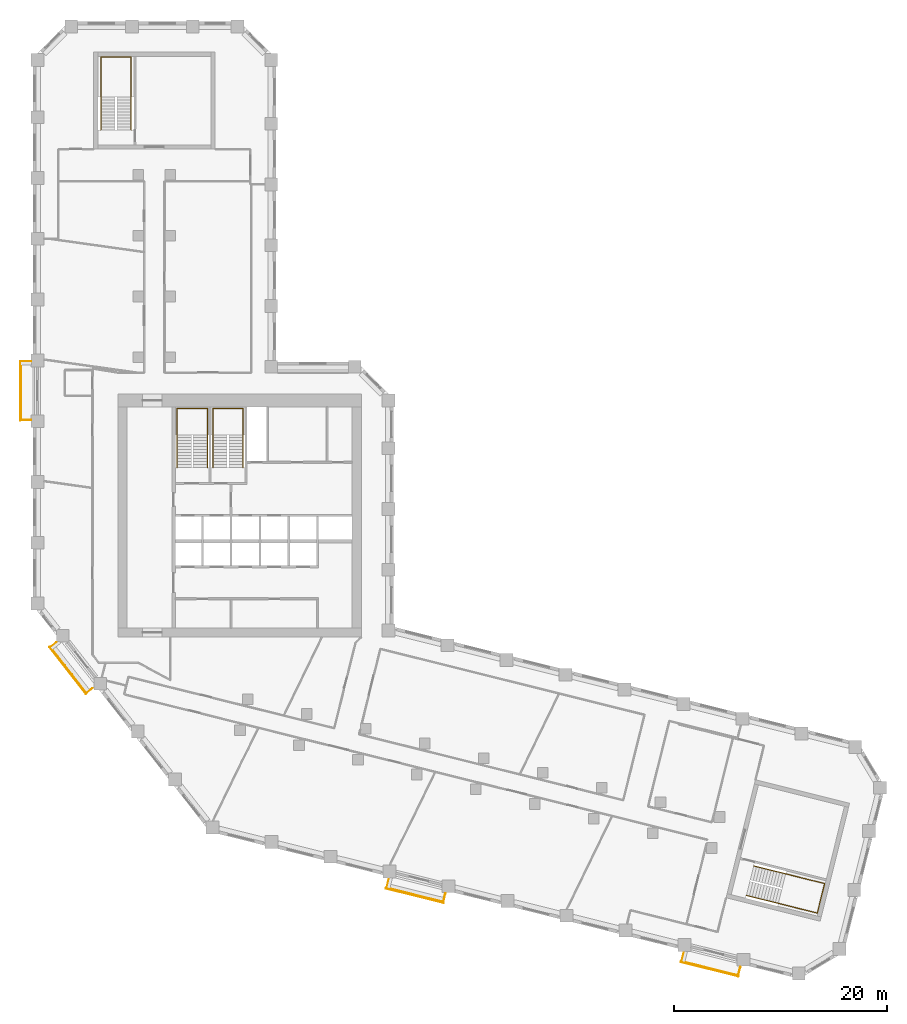
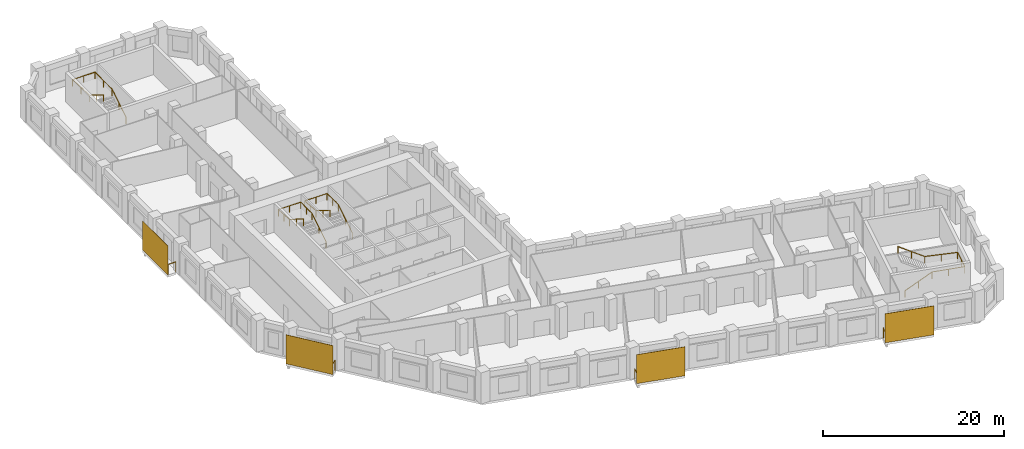
# One storey, part 10 of 10: 8 railings, 4 shading devices.
"""IFC4 building model written with IfcOpenShell, lengths in metres."""

from ifc_helpers import new_model, si_unit, direction, frame, origin, origin_2d, place, context, subcontext, project, spatial, rectangle, circle, extrude, material, layer, layer_set, type_object, element, save


model = new_model("IFC4")

# Units and contexts
model_context = context("Model", 3, precision=1e-05, world=origin(), true_north=direction((0.0, 1.0)))
body_context = subcontext(model_context, "Body", "Model", "MODEL_VIEW")
ifc_project = project(units=[si_unit("LENGTHUNIT", "METRE"), si_unit("AREAUNIT", "SQUARE_METRE"), si_unit("VOLUMEUNIT", "CUBIC_METRE"), si_unit("PLANEANGLEUNIT", "RADIAN"), si_unit("MASSUNIT", "GRAM", prefix="KILO")], contexts=[model_context])

# Site, building, storey
site_placement = place(None, origin())
site = spatial("IfcSite", under=ifc_project, at=site_placement, CompositionType="ELEMENT")
building_placement = place(site_placement, origin())
building = spatial("IfcBuilding", under=site, at=building_placement, Name="Meshkara Civic Tower", CompositionType="ELEMENT")
storey_placement = place(building_placement, frame((0.0, 0.0, 186.60009765625)))
storey = spatial("IfcBuildingStorey", under=building, at=storey_placement, Name="L42", CompositionType="ELEMENT", Elevation=186.60009765625)

# Railings
ifc_material_1 = material(Name="Steel S355", Category="steel")
railing_type_1 = type_object("IfcRailingType", Name="BALUSTRADE GUARD 1400", PredefinedType="BALUSTRADE", material=ifc_material_1)
railing_1_placement = place(storey_placement, frame((-0.14990234375, 39.93505859375, 0.0)))
element("IfcRailing", 1, at=railing_1_placement, inside=storey, type_object=railing_type_1, Name="Balcony guard", PredefinedType="BALUSTRADE", context=body_context, shape_type="SweptSolid", body=[
    extrude(circle(Radius=0.02392578125, at=origin_2d()), frame((0.0, 0.0, 1.3759765625), z_axis=(-1.0, 0.0, 0.0), x_axis=(0.0, -1.0, 0.0)), (0.0, 0.0, 1.0), 0.960205078125),
    extrude(circle(Radius=0.02392578125, at=origin_2d()), frame((-0.960205078125, 0.0, 1.3759765625), z_axis=(0.0, -1.0, 0.0), x_axis=(1.0, 0.0, 0.0)), (0.0, 0.0, 1.0), 5.4599609375),
    extrude(circle(Radius=0.02392578125, at=origin_2d()), frame((-0.960205078125, -5.4599609375, 1.3759765625), z_axis=(1.0, 0.0, 0.0), x_axis=(0.0, 1.0, 0.0)), (0.0, 0.0, 1.0), 0.960205078125),
    extrude(circle(Radius=0.02099609375, at=origin_2d()), origin(), (0.0, 0.0, 1.0), 1.351806640625),
    extrude(circle(Radius=0.02099609375, at=origin_2d()), frame((-0.960205078125, 0.0, 0.0)), (0.0, 0.0, 1.0), 1.351806640625),
    extrude(circle(Radius=0.02099609375, at=origin_2d()), frame((-0.960205078125, -1.092041015625, 0.0)), (0.0, 0.0, 1.0), 1.351806640625),
    extrude(circle(Radius=0.02099609375, at=origin_2d()), frame((-0.960205078125, -2.18408203125, 0.0)), (0.0, 0.0, 1.0), 1.351806640625),
    extrude(circle(Radius=0.02099609375, at=origin_2d()), frame((-0.960205078125, -3.27587890625, 0.0)), (0.0, 0.0, 1.0), 1.351806640625),
    extrude(circle(Radius=0.02099609375, at=origin_2d()), frame((-0.960205078125, -4.367919921875, 0.0)), (0.0, 0.0, 1.0), 1.351806640625),
    extrude(circle(Radius=0.02099609375, at=origin_2d()), frame((-0.960205078125, -5.4599609375, 0.0)), (0.0, 0.0, 1.0), 1.351806640625),
    extrude(circle(Radius=0.02099609375, at=origin_2d()), frame((0.0, -5.4599609375, 0.0)), (0.0, 0.0, 1.0), 1.351806640625),
])
railing_2_placement = place(storey_placement, frame((2.22412109375, 13.615966796875, 0.0)))
element("IfcRailing", 2, at=railing_2_placement, inside=storey, type_object=railing_type_1, Name="Balcony guard", PredefinedType="BALUSTRADE", context=body_context, shape_type="SweptSolid", body=[
    extrude(circle(Radius=0.02392578125, at=origin_2d()), frame((0.0, 0.0, 1.3759765625), z_axis=(-0.787792154951, -0.615941166506, 0.0), x_axis=(0.615941166506, -0.787792154951, 0.0)), (0.0, 0.0, 1.0), 0.717529296875),
    extrude(circle(Radius=0.02392578125, at=origin_2d()), frame((-0.565185546875, -0.44189453125, 1.3759765625), z_axis=(0.615573755741, -0.788079279795, 0.0), x_axis=(0.788079279795, 0.615573755741, 0.0)), (0.0, 0.0, 1.0), 5.460205078125),
    extrude(circle(Radius=0.02392578125, at=origin_2d()), frame((2.7958984375, -4.744873046875, 1.3759765625), z_axis=(0.788178999613, 0.615446069586, 0.0), x_axis=(-0.615446069586, 0.788178999613, 0.0)), (0.0, 0.0, 1.0), 0.718017578125),
    extrude(circle(Radius=0.02099609375, at=origin_2d()), origin(), (0.0, 0.0, 1.0), 1.351806640625),
    extrude(circle(Radius=0.02099609375, at=origin_2d()), frame((-0.565185546875, -0.44189453125, 0.0)), (0.0, 0.0, 1.0), 1.351806640625),
    extrude(circle(Radius=0.02099609375, at=origin_2d()), frame((0.10693359375, -1.302490234375, 0.0)), (0.0, 0.0, 1.0), 1.351806640625),
    extrude(circle(Radius=0.02099609375, at=origin_2d()), frame((0.779296875, -2.1630859375, 0.0)), (0.0, 0.0, 1.0), 1.351806640625),
    extrude(circle(Radius=0.02099609375, at=origin_2d()), frame((1.451416015625, -3.023681640625, 0.0)), (0.0, 0.0, 1.0), 1.351806640625),
    extrude(circle(Radius=0.02099609375, at=origin_2d()), frame((2.123779296875, -3.88427734375, 0.0)), (0.0, 0.0, 1.0), 1.351806640625),
    extrude(circle(Radius=0.02099609375, at=origin_2d()), frame((2.7958984375, -4.744873046875, 0.0)), (0.0, 0.0, 1.0), 1.351806640625),
    extrude(circle(Radius=0.02099609375, at=origin_2d()), frame((3.36181640625, -4.302978515625, 0.0)), (0.0, 0.0, 1.0), 1.351806640625),
])
railing_3_placement = place(storey_placement, frame((33.384033203125, -8.60888671875, 0.0)))
element("IfcRailing", 3, at=railing_3_placement, inside=storey, type_object=railing_type_1, Name="Balcony guard", PredefinedType="BALUSTRADE", context=body_context, shape_type="SweptSolid", body=[
    extrude(circle(Radius=0.02392578125, at=origin_2d()), frame((0.0, 0.0, 1.3759765625), z_axis=(-0.242673544463, -0.970108009872, 0.0), x_axis=(0.970108009872, -0.242673544463, 0.0)), (0.0, 0.0, 1.0), 0.8330078125),
    extrude(circle(Radius=0.02392578125, at=origin_2d()), frame((-0.2021484375, -0.80810546875, 1.3759765625), z_axis=(0.970292231073, -0.24193591366, 0.0), x_axis=(0.24193591366, 0.970292231073, 0.0)), (0.0, 0.0, 1.0), 5.460205078125),
    extrude(circle(Radius=0.02392578125, at=origin_2d()), frame((5.095947265625, -2.129150390625, 1.3759765625), z_axis=(0.242397690902, 0.970176973261, 0.0), x_axis=(-0.970176973261, 0.242397690902, 0.0)), (0.0, 0.0, 1.0), 0.8330078125),
    extrude(circle(Radius=0.02099609375, at=origin_2d()), origin(), (0.0, 0.0, 1.0), 1.351806640625),
    extrude(circle(Radius=0.02099609375, at=origin_2d()), frame((-0.2021484375, -0.80810546875, 0.0)), (0.0, 0.0, 1.0), 1.351806640625),
    extrude(circle(Radius=0.02099609375, at=origin_2d()), frame((0.857421875, -1.072265625, 0.0)), (0.0, 0.0, 1.0), 1.351806640625),
    extrude(circle(Radius=0.02099609375, at=origin_2d()), frame((1.9169921875, -1.33642578125, 0.0)), (0.0, 0.0, 1.0), 1.351806640625),
    extrude(circle(Radius=0.02099609375, at=origin_2d()), frame((2.976806640625, -1.600830078125, 0.0)), (0.0, 0.0, 1.0), 1.351806640625),
    extrude(circle(Radius=0.02099609375, at=origin_2d()), frame((4.036376953125, -1.864990234375, 0.0)), (0.0, 0.0, 1.0), 1.351806640625),
    extrude(circle(Radius=0.02099609375, at=origin_2d()), frame((5.095947265625, -2.129150390625, 0.0)), (0.0, 0.0, 1.0), 1.351806640625),
    extrude(circle(Radius=0.02099609375, at=origin_2d()), frame((5.2978515625, -1.321044921875, 0.0)), (0.0, 0.0, 1.0), 1.351806640625),
])
railing_4_placement = place(storey_placement, frame((61.037109375, -15.50390625, 0.0)))
element("IfcRailing", 4, at=railing_4_placement, inside=storey, type_object=railing_type_1, Name="Balcony guard", PredefinedType="BALUSTRADE", context=body_context, shape_type="SweptSolid", body=[
    extrude(circle(Radius=0.02392578125, at=origin_2d()), frame((0.0, 0.0, 1.3759765625), z_axis=(-0.241569777604, -0.970383451296, 0.0), x_axis=(0.970383451296, -0.241569777604, 0.0)), (0.0, 0.0, 1.0), 0.832763671875),
    extrude(circle(Radius=0.02392578125, at=origin_2d()), frame((-0.201171875, -0.80810546875, 1.3759765625), z_axis=(0.970323745377, -0.241809489388, 0.0), x_axis=(0.241809489388, 0.970323745377, 0.0)), (0.0, 0.0, 1.0), 5.459228515625),
    extrude(circle(Radius=0.02392578125, at=origin_2d()), frame((5.095947265625, -2.128173828125, 1.3759765625), z_axis=(0.242673711326, 0.970107968131, 0.0), x_axis=(-0.970107968131, 0.242673711326, 0.0)), (0.0, 0.0, 1.0), 0.83203125),
    extrude(circle(Radius=0.02099609375, at=origin_2d()), origin(), (0.0, 0.0, 1.0), 1.351806640625),
    extrude(circle(Radius=0.02099609375, at=origin_2d()), frame((-0.201171875, -0.80810546875, 0.0)), (0.0, 0.0, 1.0), 1.351806640625),
    extrude(circle(Radius=0.02099609375, at=origin_2d()), frame((0.858154296875, -1.072021484375, 0.0)), (0.0, 0.0, 1.0), 1.351806640625),
    extrude(circle(Radius=0.02099609375, at=origin_2d()), frame((1.917724609375, -1.336181640625, 0.0)), (0.0, 0.0, 1.0), 1.351806640625),
    extrude(circle(Radius=0.02099609375, at=origin_2d()), frame((2.97705078125, -1.60009765625, 0.0)), (0.0, 0.0, 1.0), 1.351806640625),
    extrude(circle(Radius=0.02099609375, at=origin_2d()), frame((4.03662109375, -1.8642578125, 0.0)), (0.0, 0.0, 1.0), 1.351806640625),
    extrude(circle(Radius=0.02099609375, at=origin_2d()), frame((5.095947265625, -2.128173828125, 0.0)), (0.0, 0.0, 1.0), 1.351806640625),
    extrude(circle(Radius=0.02099609375, at=origin_2d()), frame((5.2978515625, -1.321044921875, 0.0)), (0.0, 0.0, 1.0), 1.351806640625),
])

# Shading devices
ifc_material_2 = material(Name="Perforated bronze anodised aluminium sheet", Category="aluminium")
ifc_layer = layer(ifc_material_2, 0.0400390625)
ifc_layer_set = layer_set([ifc_layer], Name="PERFORATED BRONZE SCREEN")
shading_device_type = type_object("IfcShadingDeviceType", Name="PERFORATED BRONZE SCREEN", PredefinedType="USERDEFINED", material=ifc_layer_set)
for number, where, z_axis, x_axis, name in (
    (5, (-1.179931640625, 37.205078125, 0.0), (0.0, 0.0, 1.0), (0.0, -1.0, 0.0), "Balcony screen"),
    (6, (3.283935546875, 10.97998046875, 0.0), (0.0, 0.0, 1.0), (0.615661475326, -0.788010753607, 0.0), "Balcony screen"),
    (7, (35.81396484375, -10.14599609375, 0.0), (0.0, 0.0, 1.0), (0.970299948462, -0.241904960708, 0.0), "Balcony screen"),
):
    element("IfcShadingDevice", number, at=place(storey_placement, frame(where, z_axis=z_axis, x_axis=x_axis)), inside=storey, type_object=shading_device_type, Name=name, ObjectType="SCREEN", PredefinedType="USERDEFINED", context=body_context, shape_type="SweptSolid", body=[
        extrude(rectangle(XDim=5.580078125, YDim=0.0400390625, at=origin_2d()), origin(), (0.0, 0.0, 1.0), 3.89990234375),
    ])
shading_device_placement = place(storey_placement, frame((63.468017578125, -17.0400390625, 0.0), z_axis=(0.0, 0.0, 1.0), x_axis=(0.970299948462, -0.241904960708, 0.0)))
element("IfcShadingDevice", 8, at=shading_device_placement, inside=storey, type_object=shading_device_type, Name="Balcony screen", ObjectType="SCREEN", PredefinedType="USERDEFINED", context=body_context, shape_type="SweptSolid", body=[
    extrude(rectangle(XDim=5.5791015625, YDim=0.0400390625, at=origin_2d()), origin(), (0.0, 0.0, 1.0), 3.89990234375),
])

# Railings
ifc_material_3 = material(Name="Steel handrail", Category="steel")
railing_type_2 = type_object("IfcRailingType", Name="Stair handrail 900", PredefinedType="HANDRAIL", material=ifc_material_3)
railing_5_placement = place(storey_placement, frame((16.375, 30.0, 0.1748046875)))
element("IfcRailing", 9, at=railing_5_placement, inside=storey, type_object=railing_type_2, Name="L42 ST1 stair handrail 1", PredefinedType="HANDRAIL", context=body_context, shape_type="SweptSolid", body=[
    extrude(circle(Radius=0.02392578125, at=origin_2d()), frame((0.0, 0.0, 0.8759765625), z_axis=(0.0, 0.847998304005, 0.529998940003), x_axis=(-1.0, 0.0, 0.0)), (0.0, 0.0, 1.0), 3.632080078125),
    extrude(circle(Radius=0.02392578125, at=origin_2d()), frame((0.0, 3.080078125, 2.80078125), z_axis=(0.0, 1.0, 0.0), x_axis=(-1.0, 0.0, 0.0)), (0.0, 0.0, 1.0), 2.469970703125),
    extrude(circle(Radius=0.02392578125, at=origin_2d()), frame((0.0, 5.550048828125, 2.80078125), z_axis=(-1.0, 0.0, 0.0), x_axis=(0.0, -1.0, 0.0)), (0.0, 0.0, 1.0), 2.85009765625),
    extrude(circle(Radius=0.02392578125, at=origin_2d()), frame((-2.85009765625, 5.550048828125, 2.80078125), z_axis=(0.0, -0.997498084828, 0.070693498747), x_axis=(1.0, 0.0, 0.0)), (0.0, 0.0, 1.0), 2.47607421875),
    extrude(circle(Radius=0.02392578125, at=origin_2d()), frame((-2.85009765625, 3.080078125, 2.97607421875), z_axis=(0.0, -0.847998304005, 0.529998940003), x_axis=(1.0, 0.0, 0.0)), (0.0, 0.0, 1.0), 3.632080078125),
    extrude(circle(Radius=0.02099609375, at=origin_2d()), origin(), (0.0, 0.0, 1.0), 0.851806640625),
    extrude(circle(Radius=0.02099609375, at=origin_2d()), frame((0.0, 1.5400390625, 0.96240234375)), (0.0, 0.0, 1.0), 0.851806640625),
    extrude(circle(Radius=0.02099609375, at=origin_2d()), frame((0.0, 3.080078125, 1.925048828125)), (0.0, 0.0, 1.0), 0.851806640625),
    extrude(circle(Radius=0.02099609375, at=origin_2d()), frame((0.0, 4.31494140625, 1.925048828125)), (0.0, 0.0, 1.0), 0.851806640625),
    extrude(circle(Radius=0.02099609375, at=origin_2d()), frame((0.0, 5.550048828125, 1.925048828125)), (0.0, 0.0, 1.0), 0.851806640625),
    extrude(circle(Radius=0.02099609375, at=origin_2d()), frame((-1.425048828125, 5.550048828125, 1.925048828125)), (0.0, 0.0, 1.0), 0.851806640625),
    extrude(circle(Radius=0.02099609375, at=origin_2d()), frame((-2.85009765625, 5.550048828125, 1.925048828125)), (0.0, 0.0, 1.0), 0.851806640625),
    extrude(circle(Radius=0.02099609375, at=origin_2d()), frame((-2.85009765625, 4.31494140625, 2.0126953125)), (0.0, 0.0, 1.0), 0.851806640625),
    extrude(circle(Radius=0.02099609375, at=origin_2d()), frame((-2.85009765625, 3.080078125, 2.10009765625)), (0.0, 0.0, 1.0), 0.851806640625),
    extrude(circle(Radius=0.02099609375, at=origin_2d()), frame((-2.85009765625, 1.5400390625, 3.0625)), (0.0, 0.0, 1.0), 0.851806640625),
    extrude(circle(Radius=0.02099609375, at=origin_2d()), frame((-2.85009765625, 0.0, 4.025146484375)), (0.0, 0.0, 1.0), 0.851806640625),
])
railing_6_placement = place(storey_placement, frame((19.72509765625, 30.0, 0.1748046875)))
element("IfcRailing", 10, at=railing_6_placement, inside=storey, type_object=railing_type_2, Name="L42 ST2 stair handrail 1", PredefinedType="HANDRAIL", context=body_context, shape_type="SweptSolid", body=[
    extrude(circle(Radius=0.02392578125, at=origin_2d()), frame((0.0, 0.0, 0.8759765625), z_axis=(0.0, 0.847998304005, 0.529998940003), x_axis=(-1.0, 0.0, 0.0)), (0.0, 0.0, 1.0), 3.632080078125),
    extrude(circle(Radius=0.02392578125, at=origin_2d()), frame((0.0, 3.080078125, 2.80078125), z_axis=(0.0, 1.0, 0.0), x_axis=(-1.0, 0.0, 0.0)), (0.0, 0.0, 1.0), 2.469970703125),
    extrude(circle(Radius=0.02392578125, at=origin_2d()), frame((0.0, 5.550048828125, 2.80078125), z_axis=(-1.0, 0.0, 0.0), x_axis=(0.0, -1.0, 0.0)), (0.0, 0.0, 1.0), 2.85009765625),
    extrude(circle(Radius=0.02392578125, at=origin_2d()), frame((-2.85009765625, 5.550048828125, 2.80078125), z_axis=(0.0, -0.997498084828, 0.070693498747), x_axis=(1.0, 0.0, 0.0)), (0.0, 0.0, 1.0), 2.47607421875),
    extrude(circle(Radius=0.02392578125, at=origin_2d()), frame((-2.85009765625, 3.080078125, 2.97607421875), z_axis=(0.0, -0.847998304005, 0.529998940003), x_axis=(1.0, 0.0, 0.0)), (0.0, 0.0, 1.0), 3.632080078125),
    extrude(circle(Radius=0.02099609375, at=origin_2d()), origin(), (0.0, 0.0, 1.0), 0.851806640625),
    extrude(circle(Radius=0.02099609375, at=origin_2d()), frame((0.0, 1.5400390625, 0.96240234375)), (0.0, 0.0, 1.0), 0.851806640625),
    extrude(circle(Radius=0.02099609375, at=origin_2d()), frame((0.0, 3.080078125, 1.925048828125)), (0.0, 0.0, 1.0), 0.851806640625),
    extrude(circle(Radius=0.02099609375, at=origin_2d()), frame((0.0, 4.31494140625, 1.925048828125)), (0.0, 0.0, 1.0), 0.851806640625),
    extrude(circle(Radius=0.02099609375, at=origin_2d()), frame((0.0, 5.550048828125, 1.925048828125)), (0.0, 0.0, 1.0), 0.851806640625),
    extrude(circle(Radius=0.02099609375, at=origin_2d()), frame((-1.425048828125, 5.550048828125, 1.925048828125)), (0.0, 0.0, 1.0), 0.851806640625),
    extrude(circle(Radius=0.02099609375, at=origin_2d()), frame((-2.85009765625, 5.550048828125, 1.925048828125)), (0.0, 0.0, 1.0), 0.851806640625),
    extrude(circle(Radius=0.02099609375, at=origin_2d()), frame((-2.85009765625, 4.31494140625, 2.0126953125)), (0.0, 0.0, 1.0), 0.851806640625),
    extrude(circle(Radius=0.02099609375, at=origin_2d()), frame((-2.85009765625, 3.080078125, 2.10009765625)), (0.0, 0.0, 1.0), 0.851806640625),
    extrude(circle(Radius=0.02099609375, at=origin_2d()), frame((-2.85009765625, 1.5400390625, 3.0625)), (0.0, 0.0, 1.0), 0.851806640625),
    extrude(circle(Radius=0.02099609375, at=origin_2d()), frame((-2.85009765625, 0.0, 4.025146484375)), (0.0, 0.0, 1.0), 0.851806640625),
])
railing_7_placement = place(storey_placement, frame((9.22509765625, 61.669921875, 0.1748046875)))
element("IfcRailing", 11, at=railing_7_placement, inside=storey, type_object=railing_type_2, Name="L42 ESA3 stair handrail 1", PredefinedType="HANDRAIL", context=body_context, shape_type="SweptSolid", body=[
    extrude(circle(Radius=0.02392578125, at=origin_2d()), frame((0.0, 0.0, 0.8759765625), z_axis=(0.0, 0.847998304005, 0.529998940003), x_axis=(-1.0, 0.0, 0.0)), (0.0, 0.0, 1.0), 3.632080078125),
    extrude(circle(Radius=0.02392578125, at=origin_2d()), frame((0.0, 3.080078125, 2.80078125), z_axis=(0.0, 1.0, 0.0), x_axis=(-1.0, 0.0, 0.0)), (0.0, 0.0, 1.0), 3.77001953125),
    extrude(circle(Radius=0.02392578125, at=origin_2d()), frame((0.0, 6.85009765625, 2.80078125), z_axis=(-1.0, 0.0, 0.0), x_axis=(0.0, -1.0, 0.0)), (0.0, 0.0, 1.0), 2.85009765625),
    extrude(circle(Radius=0.02392578125, at=origin_2d()), frame((-2.85009765625, 6.85009765625, 2.80078125), z_axis=(0.0, -0.9989237834, 0.046381838667), x_axis=(1.0, 0.0, 0.0)), (0.0, 0.0, 1.0), 3.774169921875),
    extrude(circle(Radius=0.02392578125, at=origin_2d()), frame((-2.85009765625, 3.080078125, 2.97607421875), z_axis=(0.0, -0.847998304005, 0.529998940003), x_axis=(1.0, 0.0, 0.0)), (0.0, 0.0, 1.0), 3.632080078125),
    extrude(circle(Radius=0.02099609375, at=origin_2d()), origin(), (0.0, 0.0, 1.0), 0.851806640625),
    extrude(circle(Radius=0.02099609375, at=origin_2d()), frame((0.0, 1.5400390625, 0.96240234375)), (0.0, 0.0, 1.0), 0.851806640625),
    extrude(circle(Radius=0.02099609375, at=origin_2d()), frame((0.0, 3.080078125, 1.925048828125)), (0.0, 0.0, 1.0), 0.851806640625),
    extrude(circle(Radius=0.02099609375, at=origin_2d()), frame((0.0, 4.965087890625, 1.925048828125)), (0.0, 0.0, 1.0), 0.851806640625),
    extrude(circle(Radius=0.02099609375, at=origin_2d()), frame((0.0, 6.85009765625, 1.925048828125)), (0.0, 0.0, 1.0), 0.851806640625),
    extrude(circle(Radius=0.02099609375, at=origin_2d()), frame((-1.425048828125, 6.85009765625, 1.925048828125)), (0.0, 0.0, 1.0), 0.851806640625),
    extrude(circle(Radius=0.02099609375, at=origin_2d()), frame((-2.85009765625, 6.85009765625, 1.925048828125)), (0.0, 0.0, 1.0), 0.851806640625),
    extrude(circle(Radius=0.02099609375, at=origin_2d()), frame((-2.85009765625, 4.965087890625, 2.0126953125)), (0.0, 0.0, 1.0), 0.851806640625),
    extrude(circle(Radius=0.02099609375, at=origin_2d()), frame((-2.85009765625, 3.080078125, 2.10009765625)), (0.0, 0.0, 1.0), 0.851806640625),
    extrude(circle(Radius=0.02099609375, at=origin_2d()), frame((-2.85009765625, 1.5400390625, 3.0625)), (0.0, 0.0, 1.0), 0.851806640625),
    extrude(circle(Radius=0.02099609375, at=origin_2d()), frame((-2.85009765625, 0.0, 4.025146484375)), (0.0, 0.0, 1.0), 0.851806640625),
])
railing_8_placement = place(storey_placement, frame((66.910888671875, -10.1123046875, 0.1748046875)))
element("IfcRailing", 12, at=railing_8_placement, inside=storey, type_object=railing_type_2, Name="L42 ESB3 stair handrail 1", PredefinedType="HANDRAIL", context=body_context, shape_type="SweptSolid", body=[
    extrude(circle(Radius=0.02392578125, at=origin_2d()), frame((0.0, 0.0, 0.8759765625), z_axis=(0.822816010835, -0.205082235851, 0.530014234575), x_axis=(0.241845469214, 0.970314778317, 0.0)), (0.0, 0.0, 1.0), 3.632080078125),
    extrude(circle(Radius=0.02392578125, at=origin_2d()), frame((2.988525390625, -0.744873046875, 2.80078125), z_axis=(0.970325068916, -0.241804178279, 0.0), x_axis=(0.241804178279, 0.970325068916, 0.0)), (0.0, 0.0, 1.0), 3.77001953125),
    extrude(circle(Radius=0.02392578125, at=origin_2d()), frame((6.646728515625, -1.656494140625, 2.80078125), z_axis=(0.24183009087, 0.970318611153, 0.0), x_axis=(-0.970318611153, 0.24183009087, 0.0)), (0.0, 0.0, 1.0), 2.849853515625),
    extrude(circle(Radius=0.02392578125, at=origin_2d()), frame((7.3359375, 1.10888671875, 2.80078125), z_axis=(-0.969280822407, 0.241543952941, 0.046381096481), x_axis=(-0.241804178279, -0.970325068916, 0.0)), (0.0, 0.0, 1.0), 3.774169921875),
    extrude(circle(Radius=0.02392578125, at=origin_2d()), frame((3.677734375, 2.0205078125, 2.97607421875), z_axis=(-0.822816010835, 0.205082235851, 0.530014234575), x_axis=(-0.241845469214, -0.970314778317, 0.0)), (0.0, 0.0, 1.0), 3.632080078125),
    extrude(circle(Radius=0.02099609375, at=origin_2d()), origin(), (0.0, 0.0, 1.0), 0.851806640625),
    extrude(circle(Radius=0.02099609375, at=origin_2d()), frame((1.494140625, -0.37255859375, 0.96240234375)), (0.0, 0.0, 1.0), 0.851806640625),
    extrude(circle(Radius=0.02099609375, at=origin_2d()), frame((2.988525390625, -0.744873046875, 1.925048828125)), (0.0, 0.0, 1.0), 0.851806640625),
    extrude(circle(Radius=0.02099609375, at=origin_2d()), frame((4.817626953125, -1.20068359375, 1.925048828125)), (0.0, 0.0, 1.0), 0.851806640625),
    extrude(circle(Radius=0.02099609375, at=origin_2d()), frame((6.646728515625, -1.656494140625, 1.925048828125)), (0.0, 0.0, 1.0), 0.851806640625),
    extrude(circle(Radius=0.02099609375, at=origin_2d()), frame((6.9912109375, -0.27392578125, 1.925048828125)), (0.0, 0.0, 1.0), 0.851806640625),
    extrude(circle(Radius=0.02099609375, at=origin_2d()), frame((7.3359375, 1.10888671875, 1.925048828125)), (0.0, 0.0, 1.0), 0.851806640625),
    extrude(circle(Radius=0.02099609375, at=origin_2d()), frame((5.5068359375, 1.564697265625, 2.0126953125)), (0.0, 0.0, 1.0), 0.851806640625),
    extrude(circle(Radius=0.02099609375, at=origin_2d()), frame((3.677734375, 2.0205078125, 2.10009765625)), (0.0, 0.0, 1.0), 0.851806640625),
    extrude(circle(Radius=0.02099609375, at=origin_2d()), frame((2.18359375, 2.39306640625, 3.0625)), (0.0, 0.0, 1.0), 0.851806640625),
    extrude(circle(Radius=0.02099609375, at=origin_2d()), frame((0.689208984375, 2.765380859375, 4.025146484375)), (0.0, 0.0, 1.0), 0.851806640625),
])

save(model, "model.ifc")
